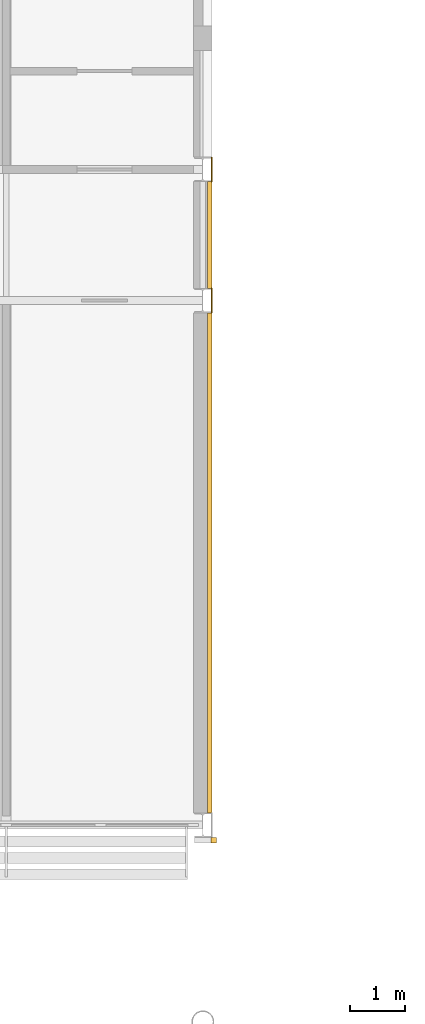
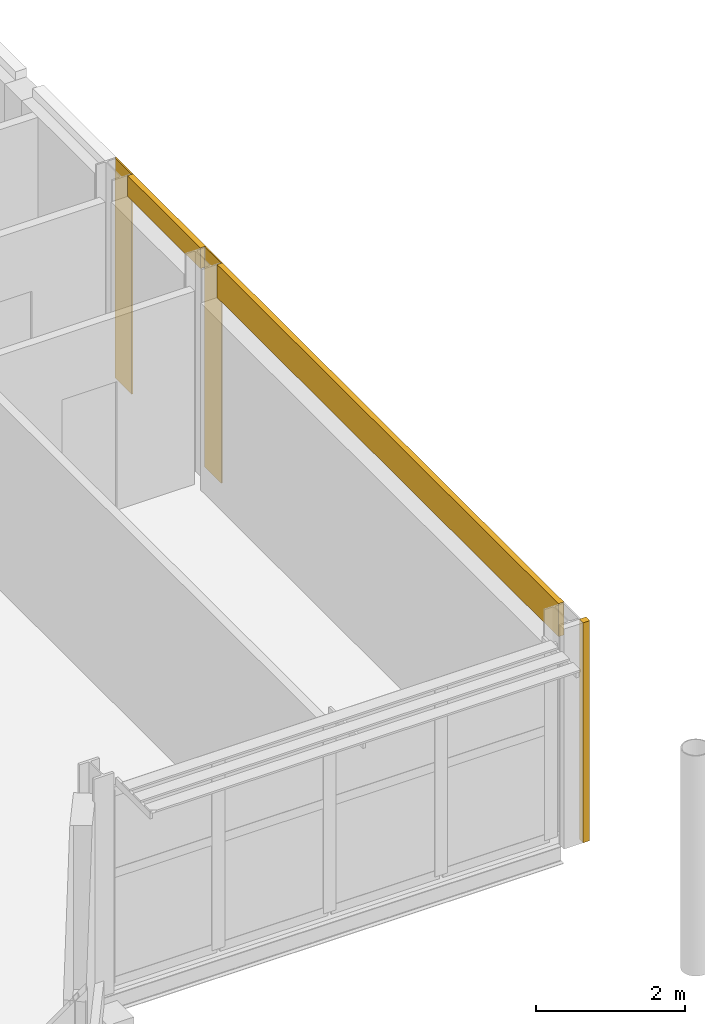
# One storey, part 116 of 120: 5 coverings.
"""IFC4 building model written with IfcOpenShell, lengths in metres."""

from ifc_helpers import new_model, si_unit, direction, frame, origin, origin_2d, place, context, subcontext, project, spatial, rectangle, extrude, material, layer, layer_set, type_object, element, save


model = new_model("IFC4")

# Units and contexts
model_context = context("Model", 3, precision=1e-05, world=origin(), true_north=direction((0.0, 1.0)))
body_context = subcontext(model_context, "Body", "Model", "MODEL_VIEW")
ifc_project = project(units=[si_unit("LENGTHUNIT", "METRE"), si_unit("AREAUNIT", "SQUARE_METRE"), si_unit("VOLUMEUNIT", "CUBIC_METRE"), si_unit("PLANEANGLEUNIT", "RADIAN"), si_unit("MASSUNIT", "GRAM", prefix="KILO")], contexts=[model_context])

# Site, building, storey
site_placement = place(None, origin())
site = spatial("IfcSite", under=ifc_project, at=site_placement, CompositionType="ELEMENT")
building_placement = place(site_placement, origin())
building = spatial("IfcBuilding", under=site, at=building_placement, Name="Kupolbacken Congress Centre", CompositionType="ELEMENT")
storey_placement = place(building_placement, frame((0.0, 0.0, 21.60009765625)))
storey = spatial("IfcBuildingStorey", under=building, at=storey_placement, Name="L06", CompositionType="ELEMENT", Elevation=21.60009765625)

# Coverings
ifc_material_1 = material(Name="Limestone cladding", Category="masonry")
ifc_layer_1 = layer(ifc_material_1, 0.1201171875)
ifc_layer_set_1 = layer_set([ifc_layer_1], Name="Limestone cladding")
covering_type_1 = type_object("IfcCoveringType", Name="CV1 limestone cladding band 120", PredefinedType="CLADDING", material=ifc_layer_set_1)
covering_1_placement = place(storey_placement, frame((136.927490234375, 127.199951171875, 3.059814453125), z_axis=(0.0, 0.0, 1.0), x_axis=(0.0, 1.0, 0.0)))
element("IfcCovering", 1, at=covering_1_placement, inside=storey, type_object=covering_type_1, Name="E/T/E/L06/080/band", PredefinedType="CLADDING", context=body_context, shape_type="SweptSolid", body=[
    extrude(rectangle(XDim=9.14990234375, YDim=0.0849609375, at=origin_2d()), origin(), (0.0, 0.0, 1.0), 0.5400390625),
])
covering_2_placement = place(storey_placement, frame((136.927490234375, 133.199951171875, 3.259765625), z_axis=(0.0, 0.0, 1.0), x_axis=(0.0, 1.0, 0.0)))
element("IfcCovering", 2, at=covering_2_placement, inside=storey, type_object=covering_type_1, Name="E/T/E/L06/081/band", PredefinedType="CLADDING", context=body_context, shape_type="SweptSolid", body=[
    extrude(rectangle(XDim=1.949951171875, YDim=0.0849609375, at=origin_2d()), origin(), (0.0, 0.0, 1.0), 0.340087890625),
])
ifc_material_2 = material(Name="Brick cladding", Category="masonry")
ifc_layer_2 = layer(ifc_material_2, 0.10791015625)
ifc_layer_set_2 = layer_set([ifc_layer_2], Name="Brick cladding")
covering_type_2 = type_object("IfcCoveringType", Name="CV2 brick cladding band 108", PredefinedType="CLADDING", material=ifc_layer_set_2)
covering_3_placement = place(storey_placement, frame((137.0, 122.125, -0.000244140625), z_axis=(0.0, 0.0, 1.0), x_axis=(1.0, 0.0, 0.0)))
element("IfcCovering", 3, at=covering_3_placement, inside=storey, type_object=covering_type_2, Name="E/T/pilaster/L06/C-T-20T/corner", PredefinedType="CLADDING", context=body_context, shape_type="SweptSolid", body=[
    extrude(rectangle(XDim=0.10009765625, YDim=0.10009765625, at=origin_2d()), origin(), (0.0, 0.0, 1.0), 3.60009765625),
])
for number, where, z_axis, x_axis, name in (
    (4, (136.9599609375, 132.0, -0.000244140625), (0.0, 0.0, 1.0), (1.0, 0.0, 0.0), "E/T/pilaster/L06/C-T-20U+2400/E"),
    (5, (136.9599609375, 134.39990234375, -0.000244140625), (0.0, 0.0, 1.0), (1.0, 0.0, 0.0), "E/T/pilaster/L06/C-T-20U+4800/E"),
):
    element("IfcCovering", number, at=place(storey_placement, frame(where, z_axis=z_axis, x_axis=x_axis)), inside=storey, type_object=covering_type_2, Name=name, PredefinedType="CLADDING", context=body_context, shape_type="SweptSolid", body=[
        extrude(rectangle(XDim=0.02001953125, YDim=0.449951171875, at=origin_2d()), origin(), (0.0, 0.0, 1.0), 3.60009765625),
    ])

save(model, "model.ifc")
